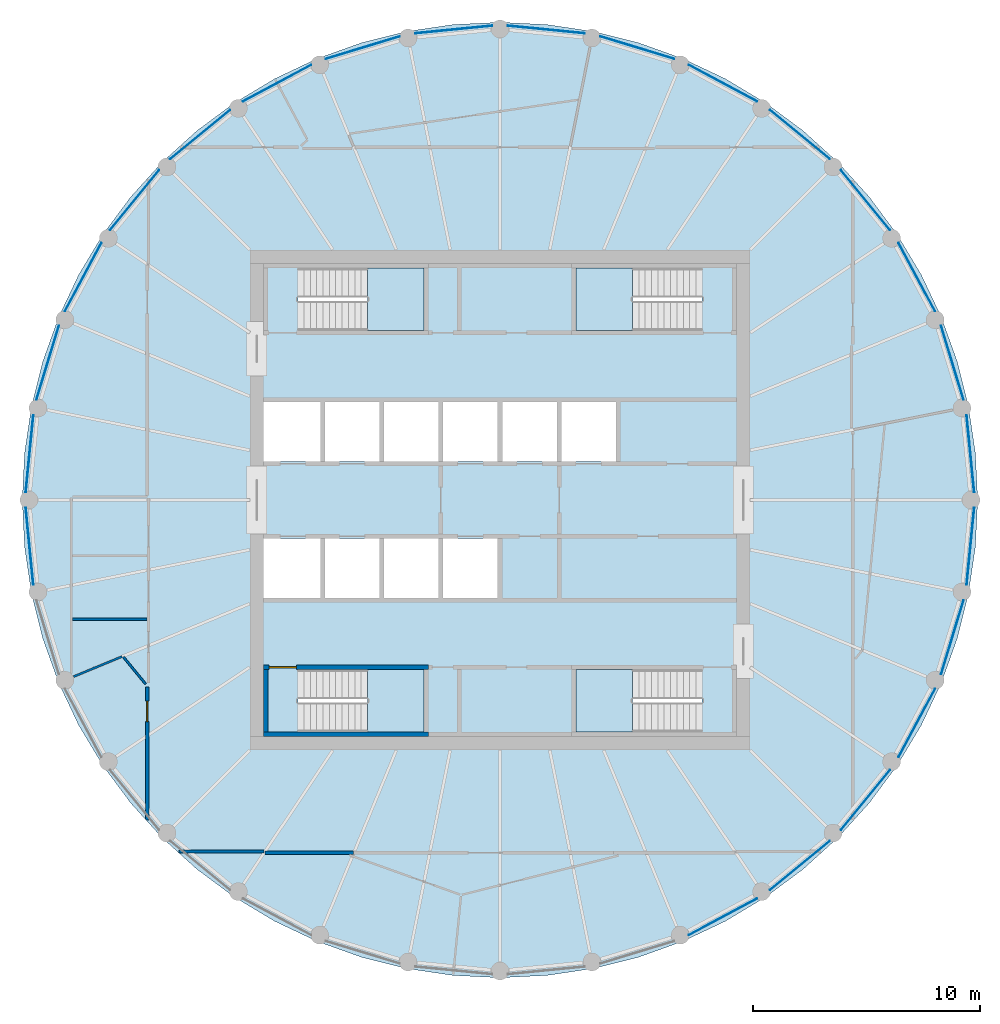
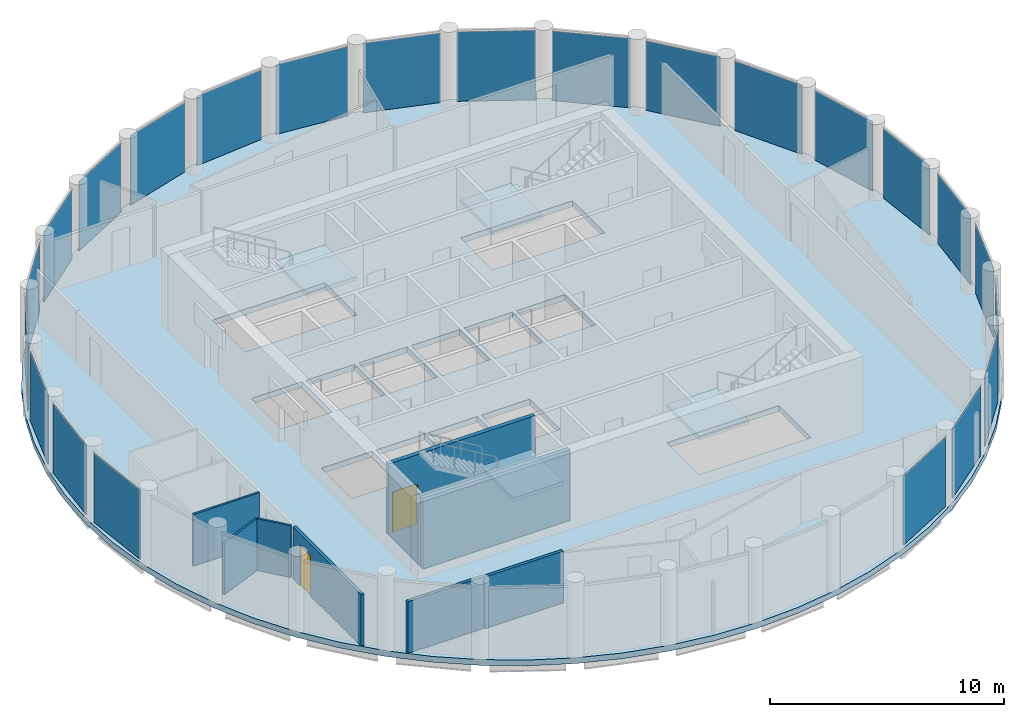
# One storey, part 3 of 7: 23 plates, 9 walls, 5 slabs, 2 doors, 2 openings, 27 elements without a shape of their own.
"""IFC4 building model written with IfcOpenShell, lengths in metres."""

from ifc_helpers import new_model, si_unit, direction, frame, frame_2d, origin, origin_2d, place, context, subcontext, project, spatial, polyline, rectangle, outline, extrude, material, layer, layer_set, type_object, element, fill, aggregate, save


model = new_model("IFC4")

# Units and contexts
model_context = context("Model", 3, precision=1e-05, world=origin(), true_north=direction((0.0, 1.0)))
body_context = subcontext(model_context, "Body", "Model", "MODEL_VIEW")
ifc_project = project(units=[si_unit("LENGTHUNIT", "METRE"), si_unit("AREAUNIT", "SQUARE_METRE"), si_unit("VOLUMEUNIT", "CUBIC_METRE"), si_unit("PLANEANGLEUNIT", "RADIAN"), si_unit("MASSUNIT", "GRAM", prefix="KILO")], contexts=[model_context])

# Site, building, storey
site_placement = place(None, origin())
site = spatial("IfcSite", under=ifc_project, at=site_placement, CompositionType="ELEMENT")
building_placement = place(site_placement, origin())
building = spatial("IfcBuilding", under=site, at=building_placement, Name="Corvane Civic Tower", CompositionType="ELEMENT")
storey_placement = place(building_placement, frame((0.0, 0.0, 348.5)))
storey = spatial("IfcBuildingStorey", under=building, at=storey_placement, Name="L83", CompositionType="ELEMENT", Elevation=348.5)

# Slab
ifc_material_1 = material(Name="Concrete C40/50", Category="concrete")
ifc_layer_1 = layer(ifc_material_1, 0.300048828125)
ifc_layer_set_1 = layer_set([ifc_layer_1], Name="Concrete C40/50")
slab_type_1 = type_object("IfcSlabType", Name="FLOOR SLAB 300", PredefinedType="FLOOR", material=ifc_layer_set_1)
slab_1_placement = place(storey_placement, frame((0.0, 0.0, -0.300048828125)))
element("IfcSlab", 1, at=slab_1_placement, inside=storey, type_object=slab_type_1, Name="SLB-L83", PredefinedType="FLOOR", context=body_context, shape_type="SweptSolid", body=[
    extrude(outline(polyline([(0.0, 21.0), (-2.058349609375, 20.89892578125), (-4.096923828125, 20.596435546875), (-6.095947265625, 20.095703125), (-8.036376953125, 19.4013671875), (-9.8994140625, 18.520263671875), (-11.6669921875, 17.4609375), (-13.322265625, 16.233154296875), (-14.84912109375, 14.84912109375), (-16.233154296875, 13.322265625), (-17.4609375, 11.6669921875), (-18.520263671875, 9.8994140625), (-19.4013671875, 8.036376953125), (-20.095703125, 6.095947265625), (-20.596435546875, 4.096923828125), (-20.89892578125, 2.058349609375), (-21.0, 0.0), (-20.89892578125, -2.058349609375), (-20.596435546875, -4.096923828125), (-20.095703125, -6.095947265625), (-19.4013671875, -8.036376953125), (-18.520263671875, -9.8994140625), (-17.4609375, -11.6669921875), (-16.233154296875, -13.322265625), (-14.84912109375, -14.84912109375), (-13.322265625, -16.233154296875), (-11.6669921875, -17.4609375), (-9.8994140625, -18.520263671875), (-8.036376953125, -19.4013671875), (-6.095947265625, -20.095703125), (-4.096923828125, -20.596435546875), (-2.058349609375, -20.89892578125), (0.0, -21.0), (2.058349609375, -20.89892578125), (4.096923828125, -20.596435546875), (6.095947265625, -20.095703125), (8.036376953125, -19.4013671875), (9.8994140625, -18.520263671875), (11.6669921875, -17.4609375), (13.322265625, -16.233154296875), (14.84912109375, -14.84912109375), (16.233154296875, -13.322265625), (17.4609375, -11.6669921875), (18.520263671875, -9.8994140625), (19.4013671875, -8.036376953125), (20.095703125, -6.095947265625), (20.596435546875, -4.096923828125), (20.89892578125, -2.058349609375), (21.0, 0.0), (20.89892578125, 2.058349609375), (20.596435546875, 4.096923828125), (20.095703125, 6.095947265625), (19.4013671875, 8.036376953125), (18.520263671875, 9.8994140625), (17.4609375, 11.6669921875), (16.233154296875, 13.322265625), (14.84912109375, 14.84912109375), (13.322265625, 16.233154296875), (11.6669921875, 17.4609375), (9.8994140625, 18.520263671875), (8.036376953125, 19.4013671875), (6.095947265625, 20.095703125), (4.096923828125, 20.596435546875), (2.058349609375, 20.89892578125), (0.0, 21.0)]), holes=[polyline([(-10.39990234375, 4.300048828125), (-7.89990234375, 4.300048828125), (-7.89990234375, 1.699951171875), (-10.39990234375, 1.699951171875), (-10.39990234375, 4.300048828125)]), polyline([(-7.699951171875, 4.300048828125), (-5.300048828125, 4.300048828125), (-5.300048828125, 1.699951171875), (-7.699951171875, 1.699951171875), (-7.699951171875, 4.300048828125)]), polyline([(-5.10009765625, 4.300048828125), (-2.699951171875, 4.300048828125), (-2.699951171875, 1.699951171875), (-5.10009765625, 1.699951171875), (-5.10009765625, 4.300048828125)]), polyline([(-2.5, 4.300048828125), (-0.10009765625, 4.300048828125), (-0.10009765625, 1.699951171875), (-2.5, 1.699951171875), (-2.5, 4.300048828125)]), polyline([(0.10009765625, 4.300048828125), (2.5, 4.300048828125), (2.5, 1.699951171875), (0.10009765625, 1.699951171875), (0.10009765625, 4.300048828125)]), polyline([(2.699951171875, 4.300048828125), (5.10009765625, 4.300048828125), (5.10009765625, 1.699951171875), (2.699951171875, 1.699951171875), (2.699951171875, 4.300048828125)]), polyline([(-10.39990234375, -1.699951171875), (-7.89990234375, -1.699951171875), (-7.89990234375, -4.300048828125), (-10.39990234375, -4.300048828125), (-10.39990234375, -1.699951171875)]), polyline([(-7.699951171875, -4.300048828125), (-7.699951171875, -1.699951171875), (-5.300048828125, -1.699951171875), (-5.300048828125, -4.300048828125), (-7.699951171875, -4.300048828125)]), polyline([(-5.10009765625, -4.300048828125), (-5.10009765625, -1.699951171875), (-2.699951171875, -1.699951171875), (-2.699951171875, -4.300048828125), (-5.10009765625, -4.300048828125)]), polyline([(-0.10009765625, -1.699951171875), (-0.10009765625, -4.300048828125), (-2.5, -4.300048828125), (-2.5, -1.699951171875), (-0.10009765625, -1.699951171875)]), polyline([(8.889892578125, 10.199951171875), (8.889892578125, 7.449951171875), (3.35009765625, 7.449951171875), (3.35009765625, 10.199951171875), (8.889892578125, 10.199951171875)]), polyline([(-8.889892578125, 7.449951171875), (-8.889892578125, 10.199951171875), (-3.35009765625, 10.199951171875), (-3.35009765625, 7.449951171875), (-8.889892578125, 7.449951171875)]), polyline([(8.889892578125, -7.449951171875), (8.889892578125, -10.199951171875), (3.35009765625, -10.199951171875), (3.35009765625, -7.449951171875), (8.889892578125, -7.449951171875)]), polyline([(-8.889892578125, -10.199951171875), (-8.889892578125, -7.449951171875), (-3.35009765625, -7.449951171875), (-3.35009765625, -10.199951171875), (-8.889892578125, -10.199951171875)])]), origin(), (0.0, 0.0, 1.0), 0.300048828125),
])

# Stair, slab
ifc_material_2 = material(Name="Concrete C40/50", Category="concrete")
stair_type = type_object("IfcStairType", Name="ST-STAIR-HALFTURN", PredefinedType="HALF_TURN_STAIR", material=ifc_material_2)
stair_1_placement = place(storey_placement, origin())
stair_1 = element("IfcStair", 2, at=stair_1_placement, inside=storey, type_object=stair_type, Name="L83 Exit stair ST1", PredefinedType="HALF_TURN_STAIR")
ifc_material_3 = material(Name="Concrete C40/50", Category="concrete")
ifc_layer_2 = layer(ifc_material_3, 0.199951171875)
ifc_layer_set_2 = layer_set([ifc_layer_2], Name="Concrete C40/50")
slab_type_2 = type_object("IfcSlabType", Name="ST-LANDING-RC", PredefinedType="LANDING", material=ifc_layer_set_2)
slab_2_placement = place(storey_placement, frame((0.0, 0.0, 1.800048828125)))
slab_2 = element("IfcSlab", 3, at=slab_2_placement, type_object=slab_type_2, Name="ST1 landing 1", PredefinedType="LANDING", context=body_context, shape_type="SweptSolid", body=[
    extrude(outline(polyline([(5.820068359375, 10.199951171875), (3.35009765625, 10.199951171875), (3.35009765625, 7.449951171875), (5.820068359375, 7.449951171875), (5.820068359375, 10.199951171875)])), origin(), (0.0, 0.0, 1.0), 0.199951171875),
])
aggregate(stair_1, [slab_2])

stair_2_placement = place(storey_placement, origin())
stair_2 = element("IfcStair", 4, at=stair_2_placement, inside=storey, type_object=stair_type, Name="L83 Exit stair ST2", PredefinedType="HALF_TURN_STAIR")
slab_3_placement = place(storey_placement, frame((0.0, 0.0, 1.800048828125)))
slab_3 = element("IfcSlab", 5, at=slab_3_placement, type_object=slab_type_2, Name="ST2 landing 1", PredefinedType="LANDING", context=body_context, shape_type="SweptSolid", body=[
    extrude(outline(polyline([(5.820068359375, -7.449951171875), (3.35009765625, -7.449951171875), (3.35009765625, -10.199951171875), (5.820068359375, -10.199951171875), (5.820068359375, -7.449951171875)])), origin(), (0.0, 0.0, 1.0), 0.199951171875),
])
aggregate(stair_2, [slab_3])

stair_3_placement = place(storey_placement, origin())
stair_3 = element("IfcStair", 6, at=stair_3_placement, inside=storey, type_object=stair_type, Name="L83 Exit stair ST3", PredefinedType="HALF_TURN_STAIR")
slab_4_placement = place(storey_placement, frame((0.0, 0.0, 1.800048828125)))
slab_4 = element("IfcSlab", 7, at=slab_4_placement, type_object=slab_type_2, Name="ST3 landing 1", PredefinedType="LANDING", context=body_context, shape_type="SweptSolid", body=[
    extrude(outline(polyline([(-5.820068359375, -10.199951171875), (-3.35009765625, -10.199951171875), (-3.35009765625, -7.449951171875), (-5.820068359375, -7.449951171875), (-5.820068359375, -10.199951171875)])), origin(), (0.0, 0.0, 1.0), 0.199951171875),
])
aggregate(stair_3, [slab_4])

stair_4_placement = place(storey_placement, origin())
stair_4 = element("IfcStair", 8, at=stair_4_placement, inside=storey, type_object=stair_type, Name="L83 Exit stair ST4", PredefinedType="HALF_TURN_STAIR")
slab_5_placement = place(storey_placement, frame((0.0, 0.0, 1.800048828125)))
slab_5 = element("IfcSlab", 9, at=slab_5_placement, type_object=slab_type_2, Name="ST4 landing 1", PredefinedType="LANDING", context=body_context, shape_type="SweptSolid", body=[
    extrude(outline(polyline([(-5.820068359375, 7.449951171875), (-3.35009765625, 7.449951171875), (-3.35009765625, 10.199951171875), (-5.820068359375, 10.199951171875), (-5.820068359375, 7.449951171875)])), origin(), (0.0, 0.0, 1.0), 0.199951171875),
])
aggregate(stair_4, [slab_5])

# Curtain wall, plate
ifc_material_4 = material(Name="Anodised aluminium bronze", Category="aluminium")
curtain_wall_type = type_object("IfcCurtainWallType", Name="TOWER CW-T3 STICK CURTAIN WALL", PredefinedType="NOTDEFINED", material=ifc_material_4)
curtain_wall_1_placement = place(storey_placement, origin())
curtain_wall_1 = element("IfcCurtainWall", 10, at=curtain_wall_1_placement, inside=storey, type_object=curtain_wall_type, Name="Curtain wall CW-T3 L83 bay 01", PredefinedType="NOTDEFINED")
ifc_material_5 = material(Name="Tinted glass", Category="glass")
ifc_layer_3 = layer(ifc_material_5, 0.028076171875)
ifc_layer_set_3 = layer_set([ifc_layer_3], Name="Tinted glass")
plate_type = type_object("IfcPlateType", Name="TOWER CW-T3 PANEL IGU28", PredefinedType="CURTAIN_PANEL", material=ifc_layer_set_3)
plate_1_placement = place(storey_placement, frame((2.03662109375, 20.679443359375, 0.0), z_axis=(0.0, 0.0, 1.0), x_axis=(0.995186641028, -0.097997701601, 0.0)))
plate_1 = element("IfcPlate", 11, at=plate_1_placement, type_object=plate_type, Name="Glass panel CW-T3 L83 01.1", PredefinedType="CURTAIN_PANEL", context=body_context, shape_type="SweptSolid", body=[
    extrude(rectangle(XDim=3.402587890625, YDim=0.028076171875, at=origin_2d()), origin(), (0.0, 0.0, 1.0), 3.6298828125),
])
aggregate(curtain_wall_1, [plate_1])

curtain_wall_2_placement = place(storey_placement, origin())
curtain_wall_2 = element("IfcCurtainWall", 12, at=curtain_wall_2_placement, inside=storey, type_object=curtain_wall_type, Name="Curtain wall CW-T3 L83 bay 02", PredefinedType="NOTDEFINED")
plate_2_placement = place(storey_placement, frame((6.031982421875, 19.884765625, 0.0), z_axis=(0.0, 0.0, 1.0), x_axis=(0.956938582641, -0.290290456359, 0.0)))
plate_2 = element("IfcPlate", 13, at=plate_2_placement, type_object=plate_type, Name="Glass panel CW-T3 L83 02.1", PredefinedType="CURTAIN_PANEL", context=body_context, shape_type="SweptSolid", body=[
    extrude(rectangle(XDim=3.40283203125, YDim=0.028076171875, at=origin_2d()), origin(), (0.0, 0.0, 1.0), 3.6298828125),
])
aggregate(curtain_wall_2, [plate_2])

curtain_wall_3_placement = place(storey_placement, origin())
curtain_wall_3 = element("IfcCurtainWall", 14, at=curtain_wall_3_placement, inside=storey, type_object=curtain_wall_type, Name="Curtain wall CW-T3 L83 bay 03", PredefinedType="NOTDEFINED")
plate_3_placement = place(storey_placement, frame((9.79541015625, 18.325927734375, 0.0), z_axis=(0.0, 0.0, 1.0), x_axis=(0.88192824848, -0.471383670202, 0.0)))
plate_3 = element("IfcPlate", 15, at=plate_3_placement, type_object=plate_type, Name="Glass panel CW-T3 L83 03.1", PredefinedType="CURTAIN_PANEL", context=body_context, shape_type="SweptSolid", body=[
    extrude(rectangle(XDim=3.40234375, YDim=0.028076171875, at=origin_2d()), origin(), (0.0, 0.0, 1.0), 3.6298828125),
])
aggregate(curtain_wall_3, [plate_3])

curtain_wall_4_placement = place(storey_placement, origin())
curtain_wall_4 = element("IfcCurtainWall", 16, at=curtain_wall_4_placement, inside=storey, type_object=curtain_wall_type, Name="Curtain wall CW-T3 L83 bay 04", PredefinedType="NOTDEFINED")
plate_4_placement = place(storey_placement, frame((13.182373046875, 16.062744140625, 0.0), z_axis=(0.0, 0.0, 1.0), x_axis=(0.773010369391, -0.634393386484, 0.0)))
plate_4 = element("IfcPlate", 17, at=plate_4_placement, type_object=plate_type, Name="Glass panel CW-T3 L83 04.1", PredefinedType="CURTAIN_PANEL", context=body_context, shape_type="SweptSolid", body=[
    extrude(rectangle(XDim=3.402587890625, YDim=0.028076171875, at=origin_2d()), origin(), (0.0, 0.0, 1.0), 3.6298828125),
])
aggregate(curtain_wall_4, [plate_4])

curtain_wall_5_placement = place(storey_placement, origin())
curtain_wall_5 = element("IfcCurtainWall", 18, at=curtain_wall_5_placement, inside=storey, type_object=curtain_wall_type, Name="Curtain wall CW-T3 L83 bay 05", PredefinedType="NOTDEFINED")
plate_5_placement = place(storey_placement, frame((16.062744140625, 13.182373046875, 0.0), z_axis=(0.0, 0.0, 1.0), x_axis=(0.634393386484, -0.773010369391, 0.0)))
plate_5 = element("IfcPlate", 19, at=plate_5_placement, type_object=plate_type, Name="Glass panel CW-T3 L83 05.1", PredefinedType="CURTAIN_PANEL", context=body_context, shape_type="SweptSolid", body=[
    extrude(rectangle(XDim=3.402587890625, YDim=0.028076171875, at=origin_2d()), origin(), (0.0, 0.0, 1.0), 3.6298828125),
])
aggregate(curtain_wall_5, [plate_5])

curtain_wall_6_placement = place(storey_placement, origin())
curtain_wall_6 = element("IfcCurtainWall", 20, at=curtain_wall_6_placement, inside=storey, type_object=curtain_wall_type, Name="Curtain wall CW-T3 L83 bay 06", PredefinedType="NOTDEFINED")
plate_6_placement = place(storey_placement, frame((18.325927734375, 9.79541015625, 0.0), z_axis=(0.0, 0.0, 1.0), x_axis=(0.471383670202, -0.88192824848, 0.0)))
plate_6 = element("IfcPlate", 21, at=plate_6_placement, type_object=plate_type, Name="Glass panel CW-T3 L83 06.1", PredefinedType="CURTAIN_PANEL", context=body_context, shape_type="SweptSolid", body=[
    extrude(rectangle(XDim=3.40234375, YDim=0.028076171875, at=origin_2d()), origin(), (0.0, 0.0, 1.0), 3.6298828125),
])
aggregate(curtain_wall_6, [plate_6])

curtain_wall_7_placement = place(storey_placement, origin())
curtain_wall_7 = element("IfcCurtainWall", 22, at=curtain_wall_7_placement, inside=storey, type_object=curtain_wall_type, Name="Curtain wall CW-T3 L83 bay 07", PredefinedType="NOTDEFINED")
plate_7_placement = place(storey_placement, frame((19.884765625, 6.031982421875, 0.0), z_axis=(0.0, 0.0, 1.0), x_axis=(0.290290456359, -0.956938582641, 0.0)))
plate_7 = element("IfcPlate", 23, at=plate_7_placement, type_object=plate_type, Name="Glass panel CW-T3 L83 07.1", PredefinedType="CURTAIN_PANEL", context=body_context, shape_type="SweptSolid", body=[
    extrude(rectangle(XDim=3.40283203125, YDim=0.028076171875, at=origin_2d()), origin(), (0.0, 0.0, 1.0), 3.6298828125),
])
aggregate(curtain_wall_7, [plate_7])

curtain_wall_8_placement = place(storey_placement, origin())
curtain_wall_8 = element("IfcCurtainWall", 24, at=curtain_wall_8_placement, inside=storey, type_object=curtain_wall_type, Name="Curtain wall CW-T3 L83 bay 08", PredefinedType="NOTDEFINED")
plate_8_placement = place(storey_placement, frame((20.679443359375, 2.03662109375, 0.0), z_axis=(0.0, 0.0, 1.0), x_axis=(0.097997701601, -0.995186641028, 0.0)))
plate_8 = element("IfcPlate", 25, at=plate_8_placement, type_object=plate_type, Name="Glass panel CW-T3 L83 08.1", PredefinedType="CURTAIN_PANEL", context=body_context, shape_type="SweptSolid", body=[
    extrude(rectangle(XDim=3.402587890625, YDim=0.028076171875, at=origin_2d()), origin(), (0.0, 0.0, 1.0), 3.6298828125),
])
aggregate(curtain_wall_8, [plate_8])

curtain_wall_9_placement = place(storey_placement, origin())
curtain_wall_9 = element("IfcCurtainWall", 26, at=curtain_wall_9_placement, inside=storey, type_object=curtain_wall_type, Name="Curtain wall CW-T3 L83 bay 09", PredefinedType="NOTDEFINED")
plate_9_placement = place(storey_placement, frame((20.679443359375, -2.03662109375, 0.0), z_axis=(0.0, 0.0, 1.0), x_axis=(-0.097997701601, -0.995186641028, 0.0)))
plate_9 = element("IfcPlate", 27, at=plate_9_placement, type_object=plate_type, Name="Glass panel CW-T3 L83 09.1", PredefinedType="CURTAIN_PANEL", context=body_context, shape_type="SweptSolid", body=[
    extrude(rectangle(XDim=3.402587890625, YDim=0.028076171875, at=origin_2d()), origin(), (0.0, 0.0, 1.0), 3.6298828125),
])
aggregate(curtain_wall_9, [plate_9])

curtain_wall_10_placement = place(storey_placement, origin())
curtain_wall_10 = element("IfcCurtainWall", 28, at=curtain_wall_10_placement, inside=storey, type_object=curtain_wall_type, Name="Curtain wall CW-T3 L83 bay 10", PredefinedType="NOTDEFINED")
plate_10_placement = place(storey_placement, frame((19.884765625, -6.031982421875, 0.0), z_axis=(0.0, 0.0, 1.0), x_axis=(-0.290290456359, -0.956938582641, 0.0)))
plate_10 = element("IfcPlate", 29, at=plate_10_placement, type_object=plate_type, Name="Glass panel CW-T3 L83 10.1", PredefinedType="CURTAIN_PANEL", context=body_context, shape_type="SweptSolid", body=[
    extrude(rectangle(XDim=3.40283203125, YDim=0.028076171875, at=origin_2d()), origin(), (0.0, 0.0, 1.0), 3.6298828125),
])
aggregate(curtain_wall_10, [plate_10])

curtain_wall_11_placement = place(storey_placement, origin())
curtain_wall_11 = element("IfcCurtainWall", 30, at=curtain_wall_11_placement, inside=storey, type_object=curtain_wall_type, Name="Curtain wall CW-T3 L83 bay 11", PredefinedType="NOTDEFINED")
plate_11_placement = place(storey_placement, frame((18.325927734375, -9.79541015625, 0.0), z_axis=(0.0, 0.0, 1.0), x_axis=(-0.471383670202, -0.88192824848, 0.0)))
plate_11 = element("IfcPlate", 31, at=plate_11_placement, type_object=plate_type, Name="Glass panel CW-T3 L83 11.1", PredefinedType="CURTAIN_PANEL", context=body_context, shape_type="SweptSolid", body=[
    extrude(rectangle(XDim=3.40234375, YDim=0.028076171875, at=origin_2d()), origin(), (0.0, 0.0, 1.0), 3.6298828125),
])
aggregate(curtain_wall_11, [plate_11])

curtain_wall_12_placement = place(storey_placement, origin())
curtain_wall_12 = element("IfcCurtainWall", 32, at=curtain_wall_12_placement, inside=storey, type_object=curtain_wall_type, Name="Curtain wall CW-T3 L83 bay 12", PredefinedType="NOTDEFINED")
plate_12_placement = place(storey_placement, frame((16.062744140625, -13.182373046875, 0.0), z_axis=(0.0, 0.0, 1.0), x_axis=(-0.634393386484, -0.773010369391, 0.0)))
plate_12 = element("IfcPlate", 33, at=plate_12_placement, type_object=plate_type, Name="Glass panel CW-T3 L83 12.1", PredefinedType="CURTAIN_PANEL", context=body_context, shape_type="SweptSolid", body=[
    extrude(rectangle(XDim=3.402587890625, YDim=0.028076171875, at=origin_2d()), origin(), (0.0, 0.0, 1.0), 3.6298828125),
])
aggregate(curtain_wall_12, [plate_12])

curtain_wall_13_placement = place(storey_placement, origin())
curtain_wall_13 = element("IfcCurtainWall", 34, at=curtain_wall_13_placement, inside=storey, type_object=curtain_wall_type, Name="Curtain wall CW-T3 L83 bay 13", PredefinedType="NOTDEFINED")
plate_13_placement = place(storey_placement, frame((13.182373046875, -16.062744140625, 0.0), z_axis=(0.0, 0.0, 1.0), x_axis=(-0.773010369391, -0.634393386484, 0.0)))
plate_13 = element("IfcPlate", 35, at=plate_13_placement, type_object=plate_type, Name="Glass panel CW-T3 L83 13.1", PredefinedType="CURTAIN_PANEL", context=body_context, shape_type="SweptSolid", body=[
    extrude(rectangle(XDim=3.402587890625, YDim=0.028076171875, at=origin_2d()), origin(), (0.0, 0.0, 1.0), 3.6298828125),
])
aggregate(curtain_wall_13, [plate_13])

curtain_wall_14_placement = place(storey_placement, origin())
curtain_wall_14 = element("IfcCurtainWall", 36, at=curtain_wall_14_placement, inside=storey, type_object=curtain_wall_type, Name="Curtain wall CW-T3 L83 bay 14", PredefinedType="NOTDEFINED")
plate_14_placement = place(storey_placement, frame((9.79541015625, -18.325927734375, 0.0), z_axis=(0.0, 0.0, 1.0), x_axis=(-0.88192824848, -0.471383670202, 0.0)))
plate_14 = element("IfcPlate", 37, at=plate_14_placement, type_object=plate_type, Name="Glass panel CW-T3 L83 14.1", PredefinedType="CURTAIN_PANEL", context=body_context, shape_type="SweptSolid", body=[
    extrude(rectangle(XDim=3.40234375, YDim=0.028076171875, at=origin_2d()), origin(), (0.0, 0.0, 1.0), 3.6298828125),
])
aggregate(curtain_wall_14, [plate_14])

curtain_wall_15_placement = place(storey_placement, origin())
curtain_wall_15 = element("IfcCurtainWall", 38, at=curtain_wall_15_placement, inside=storey, type_object=curtain_wall_type, Name="Curtain wall CW-T3 L83 bay 24", PredefinedType="NOTDEFINED")
plate_15_placement = place(storey_placement, frame((-20.679443359375, -2.03662109375, 0.0), z_axis=(0.0, 0.0, 1.0), x_axis=(-0.097997701601, 0.995186641028, 0.0)))
plate_15 = element("IfcPlate", 39, at=plate_15_placement, type_object=plate_type, Name="Glass panel CW-T3 L83 24.1", PredefinedType="CURTAIN_PANEL", context=body_context, shape_type="SweptSolid", body=[
    extrude(rectangle(XDim=3.402587890625, YDim=0.028076171875, at=origin_2d()), origin(), (0.0, 0.0, 1.0), 3.6298828125),
])
aggregate(curtain_wall_15, [plate_15])

curtain_wall_16_placement = place(storey_placement, origin())
curtain_wall_16 = element("IfcCurtainWall", 40, at=curtain_wall_16_placement, inside=storey, type_object=curtain_wall_type, Name="Curtain wall CW-T3 L83 bay 25", PredefinedType="NOTDEFINED")
plate_16_placement = place(storey_placement, frame((-20.679443359375, 2.03662109375, 0.0), z_axis=(0.0, 0.0, 1.0), x_axis=(0.097997701601, 0.995186641028, 0.0)))
plate_16 = element("IfcPlate", 41, at=plate_16_placement, type_object=plate_type, Name="Glass panel CW-T3 L83 25.1", PredefinedType="CURTAIN_PANEL", context=body_context, shape_type="SweptSolid", body=[
    extrude(rectangle(XDim=3.402587890625, YDim=0.028076171875, at=origin_2d()), origin(), (0.0, 0.0, 1.0), 3.6298828125),
])
aggregate(curtain_wall_16, [plate_16])

curtain_wall_17_placement = place(storey_placement, origin())
curtain_wall_17 = element("IfcCurtainWall", 42, at=curtain_wall_17_placement, inside=storey, type_object=curtain_wall_type, Name="Curtain wall CW-T3 L83 bay 26", PredefinedType="NOTDEFINED")
plate_17_placement = place(storey_placement, frame((-19.884765625, 6.031982421875, 0.0), z_axis=(0.0, 0.0, 1.0), x_axis=(0.290290456359, 0.956938582641, 0.0)))
plate_17 = element("IfcPlate", 43, at=plate_17_placement, type_object=plate_type, Name="Glass panel CW-T3 L83 26.1", PredefinedType="CURTAIN_PANEL", context=body_context, shape_type="SweptSolid", body=[
    extrude(rectangle(XDim=3.40283203125, YDim=0.028076171875, at=origin_2d()), origin(), (0.0, 0.0, 1.0), 3.6298828125),
])
aggregate(curtain_wall_17, [plate_17])

curtain_wall_18_placement = place(storey_placement, origin())
curtain_wall_18 = element("IfcCurtainWall", 44, at=curtain_wall_18_placement, inside=storey, type_object=curtain_wall_type, Name="Curtain wall CW-T3 L83 bay 27", PredefinedType="NOTDEFINED")
plate_18_placement = place(storey_placement, frame((-18.325927734375, 9.79541015625, 0.0), z_axis=(0.0, 0.0, 1.0), x_axis=(0.471383670202, 0.88192824848, 0.0)))
plate_18 = element("IfcPlate", 45, at=plate_18_placement, type_object=plate_type, Name="Glass panel CW-T3 L83 27.1", PredefinedType="CURTAIN_PANEL", context=body_context, shape_type="SweptSolid", body=[
    extrude(rectangle(XDim=3.40234375, YDim=0.028076171875, at=origin_2d()), origin(), (0.0, 0.0, 1.0), 3.6298828125),
])
aggregate(curtain_wall_18, [plate_18])

curtain_wall_19_placement = place(storey_placement, origin())
curtain_wall_19 = element("IfcCurtainWall", 46, at=curtain_wall_19_placement, inside=storey, type_object=curtain_wall_type, Name="Curtain wall CW-T3 L83 bay 28", PredefinedType="NOTDEFINED")
plate_19_placement = place(storey_placement, frame((-16.062744140625, 13.182373046875, 0.0), z_axis=(0.0, 0.0, 1.0), x_axis=(0.634393386484, 0.773010369391, 0.0)))
plate_19 = element("IfcPlate", 47, at=plate_19_placement, type_object=plate_type, Name="Glass panel CW-T3 L83 28.1", PredefinedType="CURTAIN_PANEL", context=body_context, shape_type="SweptSolid", body=[
    extrude(rectangle(XDim=3.402587890625, YDim=0.028076171875, at=origin_2d()), origin(), (0.0, 0.0, 1.0), 3.6298828125),
])
aggregate(curtain_wall_19, [plate_19])

curtain_wall_20_placement = place(storey_placement, origin())
curtain_wall_20 = element("IfcCurtainWall", 48, at=curtain_wall_20_placement, inside=storey, type_object=curtain_wall_type, Name="Curtain wall CW-T3 L83 bay 29", PredefinedType="NOTDEFINED")
plate_20_placement = place(storey_placement, frame((-13.182373046875, 16.062744140625, 0.0), z_axis=(0.0, 0.0, 1.0), x_axis=(0.773010369391, 0.634393386484, 0.0)))
plate_20 = element("IfcPlate", 49, at=plate_20_placement, type_object=plate_type, Name="Glass panel CW-T3 L83 29.1", PredefinedType="CURTAIN_PANEL", context=body_context, shape_type="SweptSolid", body=[
    extrude(rectangle(XDim=3.402587890625, YDim=0.028076171875, at=origin_2d()), origin(), (0.0, 0.0, 1.0), 3.6298828125),
])
aggregate(curtain_wall_20, [plate_20])

curtain_wall_21_placement = place(storey_placement, origin())
curtain_wall_21 = element("IfcCurtainWall", 50, at=curtain_wall_21_placement, inside=storey, type_object=curtain_wall_type, Name="Curtain wall CW-T3 L83 bay 30", PredefinedType="NOTDEFINED")
plate_21_placement = place(storey_placement, frame((-9.79541015625, 18.325927734375, 0.0), z_axis=(0.0, 0.0, 1.0), x_axis=(0.88192824848, 0.471383670202, 0.0)))
plate_21 = element("IfcPlate", 51, at=plate_21_placement, type_object=plate_type, Name="Glass panel CW-T3 L83 30.1", PredefinedType="CURTAIN_PANEL", context=body_context, shape_type="SweptSolid", body=[
    extrude(rectangle(XDim=3.40234375, YDim=0.028076171875, at=origin_2d()), origin(), (0.0, 0.0, 1.0), 3.6298828125),
])
aggregate(curtain_wall_21, [plate_21])

curtain_wall_22_placement = place(storey_placement, origin())
curtain_wall_22 = element("IfcCurtainWall", 52, at=curtain_wall_22_placement, inside=storey, type_object=curtain_wall_type, Name="Curtain wall CW-T3 L83 bay 31", PredefinedType="NOTDEFINED")
plate_22_placement = place(storey_placement, frame((-6.031982421875, 19.884765625, 0.0), z_axis=(0.0, 0.0, 1.0), x_axis=(0.956938582641, 0.290290456359, 0.0)))
plate_22 = element("IfcPlate", 53, at=plate_22_placement, type_object=plate_type, Name="Glass panel CW-T3 L83 31.1", PredefinedType="CURTAIN_PANEL", context=body_context, shape_type="SweptSolid", body=[
    extrude(rectangle(XDim=3.40283203125, YDim=0.028076171875, at=origin_2d()), origin(), (0.0, 0.0, 1.0), 3.6298828125),
])
aggregate(curtain_wall_22, [plate_22])

curtain_wall_23_placement = place(storey_placement, origin())
curtain_wall_23 = element("IfcCurtainWall", 54, at=curtain_wall_23_placement, inside=storey, type_object=curtain_wall_type, Name="Curtain wall CW-T3 L83 bay 32", PredefinedType="NOTDEFINED")
plate_23_placement = place(storey_placement, frame((-2.03662109375, 20.679443359375, 0.0), z_axis=(0.0, 0.0, 1.0), x_axis=(0.995186641028, 0.097997701601, 0.0)))
plate_23 = element("IfcPlate", 55, at=plate_23_placement, type_object=plate_type, Name="Glass panel CW-T3 L83 32.1", PredefinedType="CURTAIN_PANEL", context=body_context, shape_type="SweptSolid", body=[
    extrude(rectangle(XDim=3.402587890625, YDim=0.028076171875, at=origin_2d()), origin(), (0.0, 0.0, 1.0), 3.6298828125),
])
aggregate(curtain_wall_23, [plate_23])

# Walls
ifc_material_6 = material(Name="Plasterboard")
ifc_layer_4 = layer(ifc_material_6, 0.10009765625)
ifc_layer_set_4 = layer_set([ifc_layer_4], Name="Plasterboard")
wall_type_1 = type_object("IfcWallType", Name="Partition 100 plasterboard on studs", PredefinedType="PARTITIONING", material=ifc_layer_set_4)
wall_1_placement = place(storey_placement, frame((-16.556884765625, -6.896484375, 0.0), z_axis=(0.0, 0.0, 1.0), x_axis=(0.634435493001, -0.772975811537, 0.0)))
element("IfcWall", 56, at=wall_1_placement, inside=storey, type_object=wall_type_1, Name="Partition L83.011", PredefinedType="PARTITIONING", context=body_context, shape_type="SweptSolid", body=[
    extrude(rectangle(XDim=1.5419921875, YDim=0.10009765625, at=frame_2d((0.77099609375, 0.0))), origin(), (0.0, 0.0, 1.0), 2.699951171875),
])
wall_2_placement = place(storey_placement, frame((-18.74560546875, -7.7646484375, 0.0), z_axis=(0.0, 0.0, 1.0), x_axis=(0.923889111951, 0.382660304732, 0.0)))
element("IfcWall", 57, at=wall_2_placement, inside=storey, type_object=wall_type_1, Name="Partition L83.013", PredefinedType="PARTITIONING", context=body_context, shape_type="SweptSolid", body=[
    extrude(rectangle(XDim=2.306396484375, YDim=0.10009765625, at=frame_2d((1.1533203125, 0.0))), origin(), (0.0, 0.0, 1.0), 2.699951171875),
])
wall_3_placement = place(storey_placement, frame((-18.800048828125, -5.245361328125, 0.0), z_axis=(0.0, 0.0, 1.0), x_axis=(1.0, 0.0, 0.0)))
element("IfcWall", 58, at=wall_3_placement, inside=storey, type_object=wall_type_1, Name="Partition L83.016", PredefinedType="PARTITIONING", context=body_context, shape_type="SweptSolid", body=[
    extrude(rectangle(XDim=3.275146484375, YDim=0.10009765625, at=frame_2d((1.6376953125, 0.0))), origin(), (0.0, 0.0, 1.0), 2.699951171875),
])

# Wall, opening, door
ifc_material_7 = material(Name="Concrete C50/60", Category="concrete")
ifc_layer_5 = layer(ifc_material_7, 0.199951171875)
ifc_layer_set_5 = layer_set([ifc_layer_5], Name="Concrete C50/60")
wall_type_2 = type_object("IfcWallType", Name="ST-WALL-200", PredefinedType="SHEAR", material=ifc_layer_set_5)
wall_4_placement = place(storey_placement, frame((-10.39990234375, -7.35009765625, 0.0), z_axis=(0.0, 0.0, 1.0), x_axis=(1.0, 0.0, 0.0)))
wall_4 = element("IfcWall", 59, at=wall_4_placement, inside=storey, type_object=wall_type_2, Name="L83 stair enclosure wall", PredefinedType="SHEAR", context=body_context, shape_type="SweptSolid", body=[
    extrude(rectangle(XDim=7.25, YDim=0.199951171875, at=frame_2d((3.625, 0.0))), origin(), (0.0, 0.0, 1.0), 3.699951171875),
])
opening_1_placement = place(wall_4_placement, frame((0.25, 0.0, 0.0)))
opening_1 = element("IfcOpeningElement", 60, at=opening_1_placement, cuts=wall_4, Name="Opening L83.C11", PredefinedType="OPENING", context=body_context, shape_type="SweptSolid", body=[
    extrude(rectangle(XDim=1.199951171875, YDim=2.10009765625, at=frame_2d((0.60009765625, 1.050048828125))), frame((0.0, 0.10986328125, 0.0), z_axis=(0.0, -1.0, 0.0), x_axis=(1.0, 0.0, 0.0)), (0.0, 0.0, 1.0), 0.219970703125),
])
ifc_material_8 = material(Name="Steel fire door leaf", Category="steel")
door_type_1 = type_object("IfcDoorType", Name="ST-DOOR-1200", OperationType="SINGLE_SWING_RIGHT", PredefinedType="DOOR", material=ifc_material_8)
door_1_placement = place(opening_1_placement, origin())
door_1 = element("IfcDoor", 61, at=door_1_placement, inside=storey, type_object=door_type_1, Name="L83 stair door", OperationType="SINGLE_SWING_RIGHT", OverallHeight=2.10009765625, OverallWidth=1.199951171875, PredefinedType="DOOR", context=body_context, shape_type="SweptSolid", body=[
    extrude(rectangle(XDim=1.199951171875, YDim=2.10009765625, at=frame_2d((0.60009765625, 1.050048828125))), frame((0.0, 0.02490234375, 0.0), z_axis=(0.0, -1.0, 0.0), x_axis=(1.0, 0.0, 0.0)), (0.0, 0.0, 1.0), 0.050048828125),
])
fill(opening_1, door_1)

# Walls
wall_5_placement = place(storey_placement, origin())
element("IfcWall", 62, at=wall_5_placement, inside=storey, type_object=wall_type_2, Name="L83 stair enclosure wall", PredefinedType="SHEAR", context=body_context, shape_type="SweptSolid", body=[
    extrude(outline(polyline([(-3.14990234375, -10.199951171875), (-3.14990234375, -10.39990234375), (-10.39990234375, -10.39990234375), (-10.39990234375, -10.199951171875), (-3.14990234375, -10.199951171875)])), origin(), (0.0, 0.0, 1.0), 3.699951171875),
])
wall_6_placement = place(storey_placement, origin())
element("IfcWall", 63, at=wall_6_placement, inside=storey, type_object=wall_type_2, Name="L83 stair enclosure wall", PredefinedType="SHEAR", context=body_context, shape_type="SweptSolid", body=[
    extrude(outline(polyline([(-10.199951171875, -7.449951171875), (-10.199951171875, -10.199951171875), (-10.39990234375, -10.199951171875), (-10.39990234375, -7.449951171875), (-10.199951171875, -7.449951171875)])), origin(), (0.0, 0.0, 1.0), 3.699951171875),
])
ifc_material_9 = material(Name="Plasterboard")
ifc_layer_6 = layer(ifc_material_9, 0.14990234375)
ifc_layer_set_6 = layer_set([ifc_layer_6], Name="Plasterboard")
wall_type_3 = type_object("IfcWallType", Name="Tenancy wall 150 EI 60", PredefinedType="PARTITIONING", material=ifc_layer_set_6)
wall_7_placement = place(storey_placement, frame((-10.330810546875, -15.5, 0.0), z_axis=(0.0, 0.0, 1.0), x_axis=(1.0, 0.0, 0.0)))
element("IfcWall", 64, at=wall_7_placement, inside=storey, type_object=wall_type_3, Name="Partition L83.004", PredefinedType="PARTITIONING", context=body_context, shape_type="SweptSolid", body=[
    extrude(rectangle(XDim=3.883544921875, YDim=0.14990234375, at=frame_2d((1.94189453125, 0.0))), origin(), (0.0, 0.0, 1.0), 2.699951171875),
])
wall_8_placement = place(storey_placement, frame((-14.1123046875, -15.449951171875, 0.0), z_axis=(0.0, 0.0, 1.0), x_axis=(1.0, 0.0, 0.0)))
element("IfcWall", 65, at=wall_8_placement, inside=storey, type_object=wall_type_3, Name="Partition L83.007", PredefinedType="PARTITIONING", context=body_context, shape_type="SweptSolid", body=[
    extrude(rectangle(XDim=3.7314453125, YDim=0.14990234375, at=frame_2d((1.86572265625, 0.0))), origin(), (0.0, 0.0, 1.0), 2.699951171875),
])

# Wall, opening, door
wall_9_placement = place(storey_placement, frame((-15.5, -14.05712890625, 0.0), z_axis=(0.0, 0.0, 1.0), x_axis=(0.0, 1.0, 0.0)))
wall_9 = element("IfcWall", 66, at=wall_9_placement, inside=storey, type_object=wall_type_3, Name="Partition L83.009", PredefinedType="PARTITIONING", context=body_context, shape_type="SweptSolid", body=[
    extrude(rectangle(XDim=5.845947265625, YDim=0.14990234375, at=frame_2d((2.9228515625, 0.0))), origin(), (0.0, 0.0, 1.0), 2.699951171875),
])
opening_2_placement = place(wall_9_placement, frame((4.316162109375, 0.0, 0.0)))
opening_2 = element("IfcOpeningElement", 67, at=opening_2_placement, cuts=wall_9, Name="Opening L83.006", PredefinedType="OPENING", context=body_context, shape_type="SweptSolid", body=[
    extrude(rectangle(XDim=0.89990234375, YDim=2.10009765625, at=frame_2d((0.449951171875, 1.050048828125))), frame((0.0, 0.0849609375, 0.0), z_axis=(0.0, -1.0, 0.0), x_axis=(1.0, 0.0, 0.0)), (0.0, 0.0, 1.0), 0.169921875),
])
ifc_material_10 = material(Name="Steel and timber", Category="steel")
door_type_2 = type_object("IfcDoorType", Name="Fire door FD30S 900", OperationType="NOTDEFINED", PredefinedType="DOOR", material=ifc_material_10)
door_2_placement = place(opening_2_placement, origin())
door_2 = element("IfcDoor", 68, at=door_2_placement, inside=storey, type_object=door_type_2, Name="Door L83.006", OperationType="SINGLE_SWING_RIGHT", OverallHeight=2.10009765625, OverallWidth=0.89990234375, PredefinedType="DOOR", context=body_context, shape_type="SweptSolid", body=[
    extrude(rectangle(XDim=0.89990234375, YDim=2.10009765625, at=frame_2d((0.449951171875, 1.050048828125))), frame((0.0, 0.02490234375, 0.0), z_axis=(0.0, -1.0, 0.0), x_axis=(1.0, 0.0, 0.0)), (0.0, 0.0, 1.0), 0.050048828125),
])
fill(opening_2, door_2)

save(model, "model.ifc")
